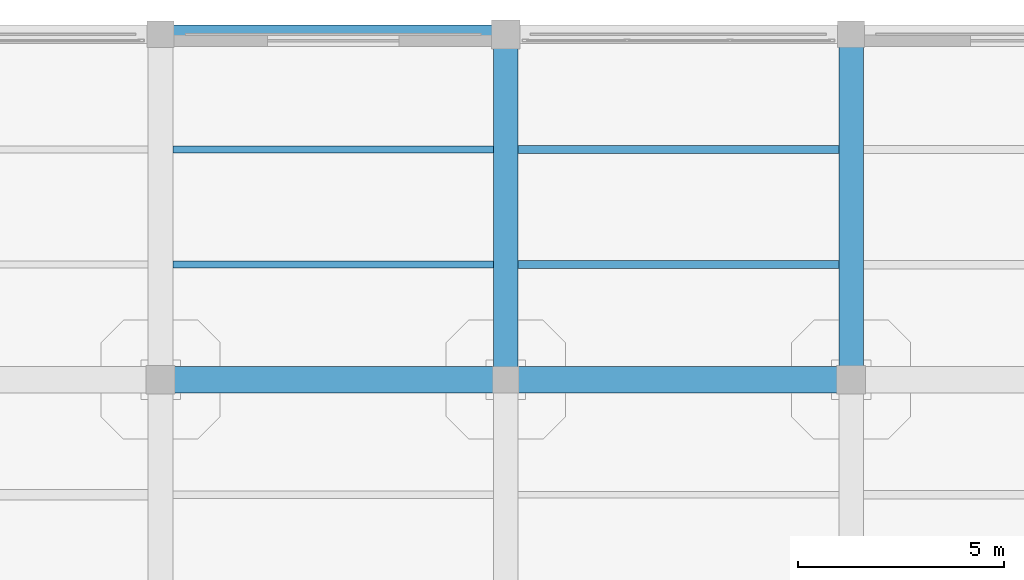
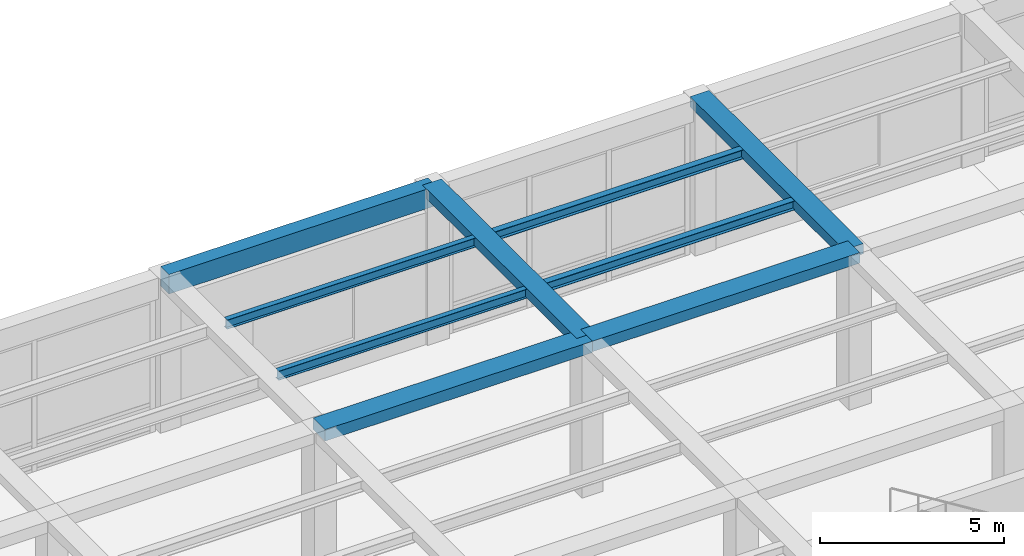
# One storey, part 40 of 96: 9 beams.
"""IFC4 building model written with IfcOpenShell, lengths in metres."""

import ifcopenshell
import ifcopenshell.guid

model = None  # the IFC model being written
_history = None  # IfcOwnerHistory: only IFC2X3 demands one
_inside = {}  # id of a spatial element -> (the spatial element, [elements in it])
_under = {}  # id of a project, library or spatial element -> (it, [spatial elements below it])
_declared = {}  # id of a project -> (the project, [libraries it declares])
_typed = {}  # id of a type object -> (the type object, [elements of that type])
_made_of = {}  # id of a material, layer set ... -> (it, [elements and type objects made of it])


def new_model(schema):
    """Start an empty IFC model of exactly this schema.

    Asked for "IFC4X3", IfcOpenShell would pick the latest addendum, in which some entities
    have other attributes; the version numbers below select the first issue.
    IFC2X3 requires an IfcOwnerHistory on every rooted entity: one is made here for all.
    """
    global model, _history
    if schema == "IFC4X3":
        model = ifcopenshell.file(schema_version=(4, 3, 0, 0))
    else:
        model = ifcopenshell.file(schema=schema)
    _inside.clear()
    _under.clear()
    _declared.clear()
    _typed.clear()
    _made_of.clear()
    _history = None
    if model.schema == "IFC2X3":
        org = make("IfcOrganization", Name="unknown")
        user = make(
            "IfcPersonAndOrganization",
            ThePerson=make("IfcPerson", FamilyName="unknown"),
            TheOrganization=org,
        )
        app = make(
            "IfcApplication",
            ApplicationDeveloper=org,
            Version="unknown",
            ApplicationFullName="unknown",
            ApplicationIdentifier="unknown",
        )
        _history = make(
            "IfcOwnerHistory",
            OwningUser=user,
            OwningApplication=app,
            ChangeAction="ADDED",
            CreationDate=0,
        )
    return model


def make(cls, **values):
    """One entity of the class cls with the attributes given. An attribute that is None is left unset."""
    return model.create_entity(
        cls, **{name: value for name, value in values.items() if value is not None}
    )


def rooted(cls, **values):
    """An entity with a GlobalId (a new one), such as an element, a storey or a relation."""
    return make(cls, GlobalId=ifcopenshell.guid.new(), OwnerHistory=_history, **values)


def si_unit(unit_type, name, prefix=None):
    """IfcSIUnit, for example si_unit("LENGTHUNIT", "METRE", prefix="MILLI")."""
    return make("IfcSIUnit", UnitType=unit_type, Prefix=prefix, Name=name)


def assignment(units):
    """IfcUnitAssignment: the units of a project."""
    return None if units is None else make("IfcUnitAssignment", Units=units)


def point(xyz):
    """IfcCartesianPoint."""
    return None if xyz is None else make("IfcCartesianPoint", Coordinates=xyz)


def direction(xyz):
    """IfcDirection."""
    return None if xyz is None else make("IfcDirection", DirectionRatios=xyz)


def frame(location, z_axis=None, x_axis=None):
    """IfcAxis2Placement3D, a coordinate frame: its origin and axes. An axis left out is left unset."""
    return make(
        "IfcAxis2Placement3D",
        Location=point(location),
        Axis=direction(z_axis),
        RefDirection=direction(x_axis),
    )


def frame_2d(location, x_axis=None):
    """IfcAxis2Placement2D, a coordinate frame in the plane: its origin and x axis."""
    return make(
        "IfcAxis2Placement2D", Location=point(location), RefDirection=direction(x_axis)
    )


def origin():
    """The frame at (0, 0, 0) with its axes left unset."""
    return frame((0.0, 0.0, 0.0))


def origin_2d():
    """The frame at (0, 0) in the plane with its x axis left unset."""
    return frame_2d((0.0, 0.0))


def place(relative_to, where):
    """IfcLocalPlacement: puts the frame where relative to a parent placement (None: the world)."""
    return make(
        "IfcLocalPlacement", PlacementRelTo=relative_to, RelativePlacement=where
    )


def context(
    kind, dimensions, precision=None, world=None, true_north=None, identifier=None
):
    """IfcGeometricRepresentationContext, for example the 3D "Model" context."""
    return make(
        "IfcGeometricRepresentationContext",
        ContextIdentifier=identifier,
        ContextType=kind,
        CoordinateSpaceDimension=dimensions,
        Precision=precision,
        WorldCoordinateSystem=world,
        TrueNorth=true_north,
    )


def subcontext(parent, identifier, kind, view, scale=None):
    """IfcGeometricRepresentationSubContext, for example "Body" below "Model"."""
    return make(
        "IfcGeometricRepresentationSubContext",
        ContextIdentifier=identifier,
        ContextType=kind,
        ParentContext=parent,
        TargetScale=scale,
        TargetView=view,
    )


def project(units=None, contexts=None):
    """IfcProject with its units and contexts."""
    return rooted(
        "IfcProject",
        Name="project",
        RepresentationContexts=contexts,
        UnitsInContext=assignment(units),
    )


def spatial(cls, under=None, at=None, **own):
    """A site, building, storey or space (cls), placed at a placement, below another one or the project."""
    s = rooted(cls, ObjectPlacement=at, **own)
    if under is not None:
        _under.setdefault(under.id(), (under, []))[1].append(s)
    return s


def profile(cls, at=None, kind="AREA", **sizes):
    """A parametric profile (cls). Its sizes go by their IFC names, for example OverallWidth=200.0."""
    return make(cls, ProfileType=kind, Position=at, **sizes)


def rectangle(**sizes):
    """IfcRectangleProfileDef."""
    return profile("IfcRectangleProfileDef", **sizes)


def i_section(**sizes):
    """IfcIShapeProfileDef."""
    return profile("IfcIShapeProfileDef", **sizes)


def extrude(swept, where, along, depth):
    """IfcExtrudedAreaSolid: the profile swept, set in the frame where, extruded along a direction by depth."""
    return make(
        "IfcExtrudedAreaSolid",
        SweptArea=swept,
        Position=where,
        ExtrudedDirection=direction(along),
        Depth=depth,
    )


def shape(context_of_items, identifier, shape_type, items):
    """IfcShapeRepresentation: the items that make up one representation, for example the "Body"."""
    return make(
        "IfcShapeRepresentation",
        ContextOfItems=context_of_items,
        RepresentationIdentifier=identifier,
        RepresentationType=shape_type,
        Items=items,
    )


def material(Name=None, Category=None):
    """IfcMaterial."""
    return make("IfcMaterial", Name=Name, Category=Category)


def material_profile(
    of_material, cross_section, Name=None, Category=None, Priority=None
):
    """IfcMaterialProfile: a cross section and its material."""
    return make(
        "IfcMaterialProfile",
        Name=Name,
        Material=of_material,
        Profile=cross_section,
        Priority=Priority,
        Category=Category,
    )


def profile_set(profiles, Name=None, composite=None):
    """IfcMaterialProfileSet."""
    return make(
        "IfcMaterialProfileSet",
        Name=Name,
        MaterialProfiles=profiles,
        CompositeProfile=composite,
    )


def made_of(thing, what):
    """Note that an element or type object is made of a material, layer set ...; save() writes the relation."""
    if what is not None:
        _made_of.setdefault(what.id(), (what, []))[1].append(thing)
    return thing


def type_object(cls, material=None, **own):
    """A type object (cls), such as IfcWallType, which elements share."""
    return made_of(rooted(cls, **own), material)


def element(
    cls,
    number,
    at=None,
    inside=None,
    cuts=None,
    type_object=None,
    material=None,
    context=None,
    identifier="Body",
    shape_type=None,
    held_by="IfcProductDefinitionShape",
    body=None,
    shapes=None,
    **own,
):
    """One element of the class cls, such as IfcWall. Its Tag is "e" and its number.

    at: its placement. inside: the storey or other place that contains it. cuts: it is an
    opening in that element (IfcRelVoidsElement). A single representation is given by context,
    identifier, shape_type and body (its items); several are given by shapes. held_by: the class
    of the entity that holds the representations. save() writes the other relations.
    """
    e = rooted(cls, Tag="e%d" % number, ObjectPlacement=at, **own)
    if body is not None:
        shapes = [shape(context, identifier, shape_type, body)]
    if shapes is not None:
        e.Representation = make(held_by, Representations=shapes)
    if inside is not None:
        _inside.setdefault(inside.id(), (inside, []))[1].append(e)
    if cuts is not None:
        rooted(
            "IfcRelVoidsElement", RelatingBuildingElement=cuts, RelatedOpeningElement=e
        )
    if type_object is not None:
        _typed.setdefault(type_object.id(), (type_object, []))[1].append(e)
    return made_of(e, material)


def aggregate(whole, parts):
    """IfcRelAggregates: a whole, such as a stair, and the parts it consists of."""
    return rooted("IfcRelAggregates", RelatingObject=whole, RelatedObjects=parts)


def save(model, path):
    """Write the relations noted so far, then the file.

    IfcRelAggregates (storeys below a building ...), IfcRelContainedInSpatialStructure (elements
    in a storey), IfcRelDefinesByType, IfcRelAssociatesMaterial and IfcRelDeclares: one each for
    every whole, place, type object, material and project.
    """
    for whole, parts in _under.values():
        aggregate(whole, parts)
    for where, things in _inside.values():
        rooted(
            "IfcRelContainedInSpatialStructure",
            RelatedElements=things,
            RelatingStructure=where,
        )
    for kind, things in _typed.values():
        rooted("IfcRelDefinesByType", RelatedObjects=things, RelatingType=kind)
    for what, things in _made_of.values():
        rooted("IfcRelAssociatesMaterial", RelatedObjects=things, RelatingMaterial=what)
    for by, libraries in _declared.values():
        rooted("IfcRelDeclares", RelatingContext=by, RelatedDefinitions=libraries)
    model.write(path)


model = new_model("IFC4")

# Units and contexts
model_context = context("Model", 3, precision=1e-05, world=origin(), true_north=direction((0.0, 1.0)))
body_context = subcontext(model_context, "Body", "Model", "MODEL_VIEW")
ifc_project = project(units=[si_unit("LENGTHUNIT", "METRE"), si_unit("AREAUNIT", "SQUARE_METRE"), si_unit("VOLUMEUNIT", "CUBIC_METRE"), si_unit("PLANEANGLEUNIT", "RADIAN"), si_unit("MASSUNIT", "GRAM", prefix="KILO")], contexts=[model_context])

# Site, building, storey
site_placement = place(None, origin())
site = spatial("IfcSite", under=ifc_project, at=site_placement, CompositionType="ELEMENT")
building_placement = place(site_placement, origin())
building = spatial("IfcBuilding", under=site, at=building_placement, Name="Almacenes y Pasaje Nevantli", CompositionType="ELEMENT")
storey_placement = place(building_placement, frame((0.0, 0.0, 6.0)))
storey = spatial("IfcBuildingStorey", under=building, at=storey_placement, Name="L02", CompositionType="ELEMENT", Elevation=6.0)

# Beams
ifc_material_1 = material(Name="Concrete C35/45", Category="concrete")
ifc_material_profile_1 = material_profile(ifc_material_1, rectangle(XDim=0.449951171875, YDim=0.64990234375, at=origin_2d()), Name="RC-BM-450x650")
ifc_profile_set_1 = profile_set([ifc_material_profile_1], Name="Concrete C35/45")
beam_type_1 = type_object("IfcBeamType", Name="BM-RC-450x650", PredefinedType="SPANDREL", material=ifc_profile_set_1)
beam_1_placement = place(storey_placement, frame((42.0, 117.60009765625, 4.77490234375), z_axis=(1.0, 0.0, 0.0), x_axis=(0.0, 1.0, 0.0)))
element("IfcBeam", 1, at=beam_1_placement, inside=storey, type_object=beam_type_1, Name="L02 East-West Reinforced Concrete Beam #1951", PredefinedType="SPANDREL", context=body_context, shape_type="SweptSolid", body=[
    extrude(rectangle(XDim=0.449951171875, YDim=0.64990234375, at=origin_2d()), origin(), (0.0, 0.0, 1.0), 8.39990234375),
])
ifc_material_2 = material(Name="Concrete C35/45", Category="concrete")
ifc_material_profile_2 = material_profile(ifc_material_2, rectangle(XDim=0.60009765625, YDim=0.320068359375, at=origin_2d()), Name="RC-BM-600x320")
ifc_profile_set_2 = profile_set([ifc_material_profile_2], Name="Concrete C35/45")
beam_type_2 = type_object("IfcBeamType", Name="BM-RC-600x320", PredefinedType="BEAM", material=ifc_profile_set_2)
beam_2_placement = place(storey_placement, frame((50.39990234375, 109.199951171875, 4.93994140625), z_axis=(0.0, 1.0, 0.0), x_axis=(-1.0, 0.0, 0.0)))
element("IfcBeam", 2, at=beam_2_placement, inside=storey, type_object=beam_type_2, Name="L02 North-South Reinforced Concrete Beam #2041", PredefinedType="BEAM", context=body_context, shape_type="SweptSolid", body=[
    extrude(rectangle(XDim=0.60009765625, YDim=0.320068359375, at=origin_2d()), origin(), (0.0, 0.0, 1.0), 8.400146484375),
])
ifc_material_3 = material(Name="Concrete C35/45", Category="concrete")
ifc_material_profile_3 = material_profile(ifc_material_3, rectangle(XDim=0.60009765625, YDim=0.340087890625, at=origin_2d()), Name="RC-BM-600x340")
ifc_profile_set_3 = profile_set([ifc_material_profile_3], Name="Concrete C35/45")
beam_type_3 = type_object("IfcBeamType", Name="BM-RC-600x340", PredefinedType="BEAM", material=ifc_profile_set_3)
beam_3_placement = place(storey_placement, frame((58.800048828125, 109.199951171875, 4.929931640625), z_axis=(0.0, 1.0, 0.0), x_axis=(-1.0, 0.0, 0.0)))
element("IfcBeam", 3, at=beam_3_placement, inside=storey, type_object=beam_type_3, Name="L02 North-South Reinforced Concrete Beam #2054", PredefinedType="BEAM", context=body_context, shape_type="SweptSolid", body=[
    extrude(rectangle(XDim=0.60009765625, YDim=0.340087890625, at=origin_2d()), origin(), (0.0, 0.0, 1.0), 8.400146484375),
])
ifc_material_4 = material(Name="Concrete C35/45", Category="concrete")
ifc_material_profile_4 = material_profile(ifc_material_4, rectangle(XDim=0.64990234375, YDim=0.35009765625, at=origin_2d()), Name="RC-BM-650x350")
ifc_profile_set_4 = profile_set([ifc_material_profile_4], Name="Concrete C35/45")
beam_type_4 = type_object("IfcBeamType", Name="BM-RC-650x350", PredefinedType="BEAM", material=ifc_profile_set_4)
beam_4_placement = place(storey_placement, frame((50.39990234375, 109.199951171875, 4.925048828125), z_axis=(1.0, 0.0, 0.0), x_axis=(0.0, 1.0, 0.0)))
element("IfcBeam", 4, at=beam_4_placement, inside=storey, type_object=beam_type_4, Name="L02 East-West Reinforced Concrete Beam #1935", PredefinedType="BEAM", context=body_context, shape_type="SweptSolid", body=[
    extrude(rectangle(XDim=0.64990234375, YDim=0.35009765625, at=origin_2d()), origin(), (0.0, 0.0, 1.0), 8.400146484375),
])
ifc_material_5 = material(Name="Concrete C35/45", Category="concrete")
ifc_material_profile_5 = material_profile(ifc_material_5, rectangle(XDim=0.64990234375, YDim=0.3798828125, at=origin_2d()), Name="RC-BM-650x380")
ifc_profile_set_5 = profile_set([ifc_material_profile_5], Name="Concrete C35/45")
beam_type_5 = type_object("IfcBeamType", Name="BM-RC-650x380", PredefinedType="BEAM", material=ifc_profile_set_5)
beam_5_placement = place(storey_placement, frame((42.0, 109.199951171875, 4.909912109375), z_axis=(1.0, 0.0, 0.0), x_axis=(0.0, 1.0, 0.0)))
element("IfcBeam", 5, at=beam_5_placement, inside=storey, type_object=beam_type_5, Name="L02 East-West Reinforced Concrete Beam #1934", PredefinedType="BEAM", context=body_context, shape_type="SweptSolid", body=[
    extrude(rectangle(XDim=0.64990234375, YDim=0.3798828125, at=origin_2d()), origin(), (0.0, 0.0, 1.0), 8.39990234375),
])
ifc_material_6 = material(Name="Steel ASTM A992", Category="steel")
ifc_material_profile_6 = material_profile(ifc_material_6, i_section(OverallWidth=0.1650390625, OverallDepth=0.306884765625, WebThickness=0.006591796875, FlangeThickness=0.01025390625, at=origin_2d()), Name="IR 305x44.6")
ifc_profile_set_6 = profile_set([ifc_material_profile_6], Name="Steel ASTM A992")
beam_type_6 = type_object("IfcBeamType", Name="BM-STL-IR-305x44p6", PredefinedType="JOIST", material=ifc_profile_set_6)
for number, where, z_axis, x_axis, name in (
    (6, (42.300048828125, 112.0, 4.9384765625), (1.0, 0.0, 0.0), (0.0, 1.0, 0.0), "L02 Secondary Steel Floor Joist #413"),
    (7, (42.300048828125, 114.800048828125, 4.9384765625), (1.0, 0.0, 0.0), (0.0, 1.0, 0.0), "L02 Secondary Steel Floor Joist #414"),
):
    element("IfcBeam", number, at=place(storey_placement, frame(where, z_axis=z_axis, x_axis=x_axis)), inside=storey, type_object=beam_type_6, Name=name, PredefinedType="JOIST", context=body_context, shape_type="SweptSolid", body=[
        extrude(i_section(OverallWidth=0.1650390625, OverallDepth=0.306884765625, WebThickness=0.006591796875, FlangeThickness=0.01025390625, at=origin_2d()), origin(), (0.0, 0.0, 1.0), 7.800048828125),
    ])
ifc_material_7 = material(Name="Steel ASTM A992", Category="steel")
ifc_material_profile_7 = material_profile(ifc_material_7, i_section(OverallWidth=0.202880859375, OverallDepth=0.304931640625, WebThickness=0.007568359375, FlangeThickness=0.01318359375, at=origin_2d()), Name="IR 305x59.5")
ifc_profile_set_7 = profile_set([ifc_material_profile_7], Name="Steel ASTM A992")
beam_type_7 = type_object("IfcBeamType", Name="BM-STL-IR-305x59p5", PredefinedType="JOIST", material=ifc_profile_set_7)
for number, where, z_axis, x_axis, name in (
    (8, (50.699951171875, 112.0, 4.939453125), (1.0, 0.0, 0.0), (0.0, 1.0, 0.0), "L02 Secondary Steel Floor Joist #429"),
    (9, (50.699951171875, 114.800048828125, 4.939453125), (1.0, 0.0, 0.0), (0.0, 1.0, 0.0), "L02 Secondary Steel Floor Joist #430"),
):
    element("IfcBeam", number, at=place(storey_placement, frame(where, z_axis=z_axis, x_axis=x_axis)), inside=storey, type_object=beam_type_7, Name=name, PredefinedType="JOIST", context=body_context, shape_type="SweptSolid", body=[
        extrude(i_section(OverallWidth=0.202880859375, OverallDepth=0.304931640625, WebThickness=0.007568359375, FlangeThickness=0.01318359375, at=origin_2d()), origin(), (0.0, 0.0, 1.0), 7.800048828125),
    ])

save(model, "model.ifc")
